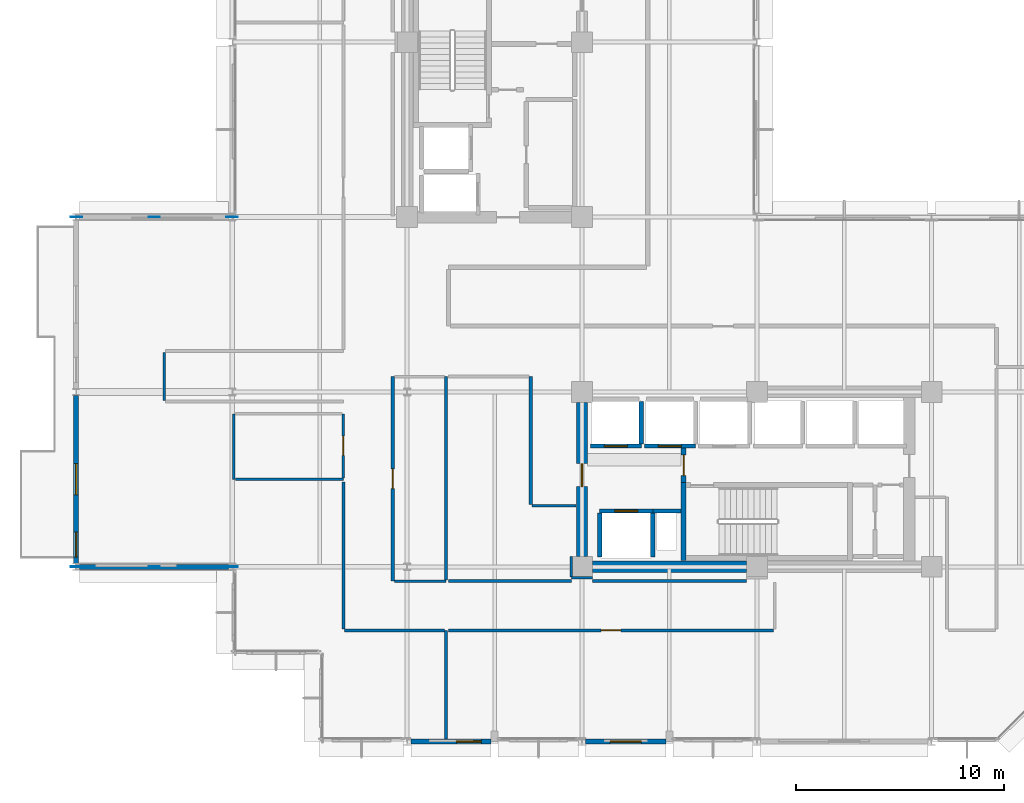
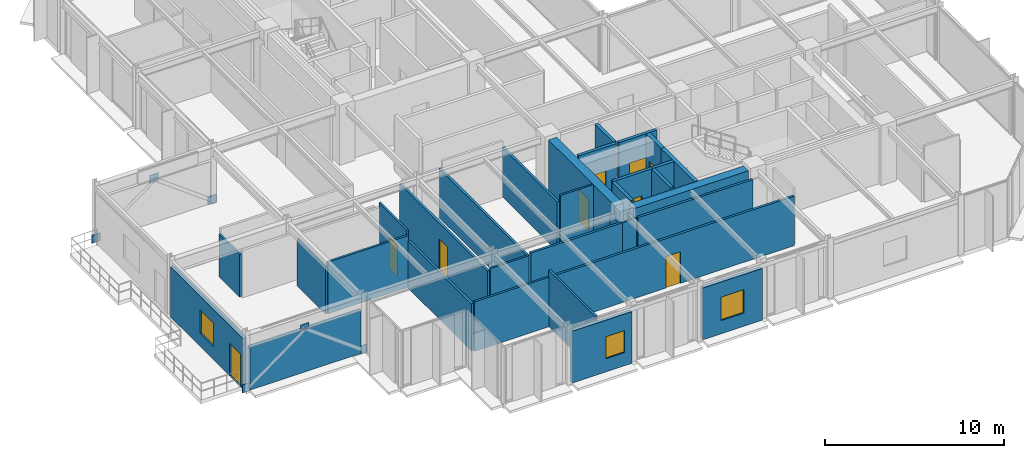
# One storey, part 24 of 30: 32 walls, 9 doors, 6 plates, 3 windows, 12 openings.
"""IFC4 building model written with IfcOpenShell, lengths in metres."""

from ifc_helpers import new_model, si_unit, direction, frame, frame_2d, origin, origin_2d, place, context, subcontext, project, spatial, rectangle, extrude, material, layer, layer_set, type_object, element, fill, save


model = new_model("IFC4")

# Units and contexts
model_context = context("Model", 3, precision=1e-05, world=origin(), true_north=direction((0.0, 1.0)))
body_context = subcontext(model_context, "Body", "Model", "MODEL_VIEW")
ifc_project = project(units=[si_unit("LENGTHUNIT", "METRE"), si_unit("AREAUNIT", "SQUARE_METRE"), si_unit("VOLUMEUNIT", "CUBIC_METRE"), si_unit("PLANEANGLEUNIT", "RADIAN"), si_unit("MASSUNIT", "GRAM", prefix="KILO")], contexts=[model_context])

# Site, building, storey
site_placement = place(None, origin())
site = spatial("IfcSite", under=ifc_project, at=site_placement, CompositionType="ELEMENT")
building_placement = place(site_placement, origin())
building = spatial("IfcBuilding", under=site, at=building_placement, Name="Nerrivon Quay Data Exchange", CompositionType="ELEMENT")
storey_placement = place(building_placement, frame((0.0, 0.0, 171.39990234375)))
storey = spatial("IfcBuildingStorey", under=building, at=storey_placement, Name="L40", CompositionType="ELEMENT", Elevation=171.39990234375)

# Plates
ifc_material_1 = material(Name="Steel Grade 350", Category="steel")
ifc_layer_1 = layer(ifc_material_1, 0.0400390625)
ifc_layer_set_1 = layer_set([ifc_layer_1], Name="Steel Grade 350")
plate_type = type_object("IfcPlateType", Name="PLT-TN02", PredefinedType="USERDEFINED", material=ifc_layer_set_1)
for number, where, z_axis, x_axis, name in (
    (1, (-0.010009765625, 8.39990234375, -0.11474609375), (0.0, 0.0, 1.0), (1.0, 0.0, 0.0), "L40 node plate 63"),
    (2, (-3.75, 8.39990234375, 2.64990234375), (0.0, 0.0, 1.0), (1.0, 0.0, 0.0), "L40 node plate 64"),
    (3, (-7.4921875, 8.39990234375, -0.11474609375), (0.0, 0.0, 1.0), (1.0, 0.0, 0.0), "L40 node plate 65"),
    (4, (-0.010009765625, 25.199951171875, -0.11474609375), (0.0, 0.0, 1.0), (1.0, 0.0, 0.0), "L40 node plate 66"),
    (5, (-3.75, 25.199951171875, 2.64990234375), (0.0, 0.0, 1.0), (1.0, 0.0, 0.0), "L40 node plate 67"),
    (6, (-7.4921875, 25.199951171875, -0.11474609375), (0.0, 0.0, 1.0), (1.0, 0.0, 0.0), "L40 node plate 68"),
):
    element("IfcPlate", number, at=place(storey_placement, frame(where, z_axis=z_axis, x_axis=x_axis)), inside=storey, type_object=plate_type, Name=name, ObjectType="GUSSET PLATE", PredefinedType="USERDEFINED", context=body_context, shape_type="SweptSolid", body=[
        extrude(rectangle(XDim=0.550048828125, YDim=0.035888671875, at=origin_2d()), origin(), (0.0, 0.0, 1.0), 0.550048828125),
    ])

# Wall, openings, door, window
ifc_material_2 = material(Name="Architectural terracotta precast concrete N50 (50 MPa)", Category="masonry")
ifc_layer_2 = layer(ifc_material_2, 0.239990234375)
ifc_layer_set_2 = layer_set([ifc_layer_2], Name="Architectural terracotta precast concrete N50 (50 MPa)")
wall_type_1 = type_object("IfcWallType", Name="EW-PREC-240", PredefinedType="STANDARD", material=ifc_layer_set_2)
wall_1_placement = place(storey_placement, frame((-7.5, 8.5634765625, 0.0), z_axis=(0.0, 0.0, 1.0), x_axis=(0.0, 1.0, 0.0)))
wall_1 = element("IfcWall", 7, at=wall_1_placement, inside=storey, type_object=wall_type_1, Name="L40 Terrace Host Wall 1", PredefinedType="STANDARD", context=body_context, shape_type="SweptSolid", body=[
    extrude(rectangle(XDim=8.072998046875, YDim=0.239990234375, at=frame_2d((4.03662109375, 0.0))), origin(), (0.0, 0.0, 1.0), 3.422119140625),
])
opening_1_placement = place(wall_1_placement, frame((0.300048828125, 0.0, 0.0)))
opening_1 = element("IfcOpeningElement", 8, at=opening_1_placement, cuts=wall_1, Name="Opening TD1", PredefinedType="OPENING", context=body_context, shape_type="SweptSolid", body=[
    extrude(rectangle(XDim=1.199951171875, YDim=2.199951171875, at=frame_2d((0.60009765625, 1.10009765625))), frame((0.0, 0.1298828125, 0.0), z_axis=(0.0, -1.0, 0.0), x_axis=(1.0, 0.0, 0.0)), (0.0, 0.0, 1.0), 0.260009765625),
])
opening_2_placement = place(wall_1_placement, frame((3.28662109375, 0.0, 0.89990234375)))
opening_2 = element("IfcOpeningElement", 9, at=opening_2_placement, cuts=wall_1, Name="Opening WN4", PredefinedType="OPENING", context=body_context, shape_type="SweptSolid", body=[
    extrude(rectangle(XDim=1.5, YDim=1.60009765625, at=frame_2d((0.75, 0.800048828125))), frame((0.0, 0.1298828125, 0.0), z_axis=(0.0, -1.0, 0.0), x_axis=(1.0, 0.0, 0.0)), (0.0, 0.0, 1.0), 0.260009765625),
])
ifc_material_3 = material(Name="Double-glazed low-E solar control glass", Category="glass")
door_type_1 = type_object("IfcDoorType", Name="DR-TERR-1200x2200", OperationType="NOTDEFINED", PredefinedType="DOOR", material=ifc_material_3)
door_1_placement = place(opening_1_placement, origin())
door_1 = element("IfcDoor", 10, at=door_1_placement, inside=storey, type_object=door_type_1, Name="L40 Outdoor Terrace Access Door 1", OperationType="SINGLE_SWING_RIGHT", OverallHeight=2.199951171875, OverallWidth=1.199951171875, PredefinedType="DOOR", context=body_context, shape_type="SweptSolid", body=[
    extrude(rectangle(XDim=1.199951171875, YDim=2.199951171875, at=frame_2d((0.60009765625, 1.10009765625))), frame((0.0, 0.02490234375, 0.0), z_axis=(0.0, -1.0, 0.0), x_axis=(1.0, 0.0, 0.0)), (0.0, 0.0, 1.0), 0.050048828125),
])
fill(opening_1, door_1)
window_type_1 = type_object("IfcWindowType", Name="WIN-W4-1500x1600", PartitioningType="SINGLE_PANEL", PredefinedType="WINDOW", material=ifc_material_3)
window_1_placement = place(opening_2_placement, origin())
window_1 = element("IfcWindow", 11, at=window_1_placement, inside=storey, type_object=window_type_1, Name="L40 Terrace Side Window 1", OverallHeight=1.60009765625, OverallWidth=1.5, PartitioningType="SINGLE_PANEL", PredefinedType="WINDOW", context=body_context, shape_type="SweptSolid", body=[
    extrude(rectangle(XDim=1.5, YDim=1.60009765625, at=frame_2d((0.75, 0.800048828125))), frame((0.0, 0.030029296875, 0.0), z_axis=(0.0, -1.0, 0.0), x_axis=(1.0, 0.0, 0.0)), (0.0, 0.0, 1.0), 0.06005859375),
])
fill(opening_2, window_1)

# Wall, opening, window
wall_2_placement = place(storey_placement, frame((20.824951171875, 0.0, 0.0), z_axis=(0.0, 0.0, 1.0), x_axis=(-1.0, 0.0, 0.0)))
wall_2 = element("IfcWall", 12, at=wall_2_placement, inside=storey, type_object=wall_type_1, Name="L40 Podium Precast Spandrel Wall 25", PredefinedType="STANDARD", context=body_context, shape_type="SweptSolid", body=[
    extrude(rectangle(XDim=3.849853515625, YDim=0.239990234375, at=frame_2d((1.9248046875, 0.0))), origin(), (0.0, 0.0, 1.0), 3.525146484375),
])
opening_3_placement = place(wall_2_placement, frame((1.175048828125, 0.0, 0.89990234375)))
opening_3 = element("IfcOpeningElement", 13, at=opening_3_placement, cuts=wall_2, Name="Opening WN4", PredefinedType="OPENING", context=body_context, shape_type="SweptSolid", body=[
    extrude(rectangle(XDim=1.5, YDim=1.60009765625, at=frame_2d((0.75, 0.800048828125))), frame((0.0, 0.1298828125, 0.0), z_axis=(0.0, -1.0, 0.0), x_axis=(1.0, 0.0, 0.0)), (0.0, 0.0, 1.0), 0.260009765625),
])
window_2_placement = place(opening_3_placement, origin())
window_2 = element("IfcWindow", 14, at=window_2_placement, inside=storey, type_object=window_type_1, Name="L40 Solar Facade Window 25", OverallHeight=1.60009765625, OverallWidth=1.5, PartitioningType="SINGLE_PANEL", PredefinedType="WINDOW", context=body_context, shape_type="SweptSolid", body=[
    extrude(rectangle(XDim=1.5, YDim=1.60009765625, at=frame_2d((0.75, 0.800048828125))), frame((0.0, 0.030029296875, 0.0), z_axis=(0.0, -1.0, 0.0), x_axis=(1.0, 0.0, 0.0)), (0.0, 0.0, 1.0), 0.06005859375),
])
fill(opening_3, window_2)

wall_3_placement = place(storey_placement, frame((12.425048828125, 0.0, 0.0), z_axis=(0.0, 0.0, 1.0), x_axis=(-1.0, 0.0, 0.0)))
wall_3 = element("IfcWall", 15, at=wall_3_placement, inside=storey, type_object=wall_type_1, Name="L40 Podium Precast Spandrel Wall 27", PredefinedType="STANDARD", context=body_context, shape_type="SweptSolid", body=[
    extrude(rectangle(XDim=3.85009765625, YDim=0.239990234375, at=frame_2d((1.925048828125, 0.0))), origin(), (0.0, 0.0, 1.0), 3.525146484375),
])
opening_4_placement = place(wall_3_placement, frame((0.462646484375, 0.0, 0.89990234375)))
opening_4 = element("IfcOpeningElement", 16, at=opening_4_placement, cuts=wall_3, Name="Opening WN3", PredefinedType="OPENING", context=body_context, shape_type="SweptSolid", body=[
    extrude(rectangle(XDim=1.199951171875, YDim=1.5, at=frame_2d((0.60009765625, 0.75))), frame((0.0, 0.1298828125, 0.0), z_axis=(0.0, -1.0, 0.0), x_axis=(1.0, 0.0, 0.0)), (0.0, 0.0, 1.0), 0.260009765625),
])
window_type_2 = type_object("IfcWindowType", Name="WIN-W3-1200x1500", PartitioningType="SINGLE_PANEL", PredefinedType="WINDOW", material=ifc_material_3)
window_3_placement = place(opening_4_placement, origin())
window_3 = element("IfcWindow", 17, at=window_3_placement, inside=storey, type_object=window_type_2, Name="L40 Solar Facade Window 27", OverallHeight=1.5, OverallWidth=1.199951171875, PartitioningType="SINGLE_PANEL", PredefinedType="WINDOW", context=body_context, shape_type="SweptSolid", body=[
    extrude(rectangle(XDim=1.199951171875, YDim=1.5, at=frame_2d((0.60009765625, 0.75))), frame((0.0, 0.030029296875, 0.0), z_axis=(0.0, -1.0, 0.0), x_axis=(1.0, 0.0, 0.0)), (0.0, 0.0, 1.0), 0.06005859375),
])
fill(opening_4, window_3)

# Walls
wall_4_placement = place(storey_placement, frame((-0.175048828125, 8.39990234375, 0.0), z_axis=(0.0, 0.0, 1.0), x_axis=(-1.0, 0.0, 0.0)))
element("IfcWall", 18, at=wall_4_placement, inside=storey, type_object=wall_type_1, Name="L40 Plant Enclosure Wall 32", PredefinedType="STANDARD", context=body_context, shape_type="SweptSolid", body=[
    extrude(rectangle(XDim=7.16943359375, YDim=0.239990234375, at=frame_2d((3.584716796875, 0.0))), origin(), (0.0, 0.0, 1.0), 2.9150390625),
])
ifc_material_4 = material(Name="Concrete S65 (65 MPa)", Category="concrete")
ifc_layer_3 = layer(ifc_material_4, 0.550048828125)
ifc_layer_set_3 = layer_set([ifc_layer_3], Name="Concrete S65 (65 MPa)")
wall_type_2 = type_object("IfcWallType", Name="WALL-CW-700", PredefinedType="SHEAR", material=ifc_layer_set_3)
wall_5_placement = place(storey_placement, frame((17.300048828125, 8.39990234375, 0.0), z_axis=(0.0, 0.0, 1.0), x_axis=(1.0, 0.0, 0.0)))
element("IfcWall", 19, at=wall_5_placement, inside=storey, type_object=wall_type_2, Name="L40 East Split-Core Shear Wall ECW-S1", PredefinedType="SHEAR", context=body_context, shape_type="SweptSolid", body=[
    extrude(rectangle(XDim=7.39990234375, YDim=0.550048828125, at=frame_2d((3.699951171875, 0.0))), origin(), (0.0, 0.0, 1.0), 3.8251953125),
])

# Wall, opening, door
wall_6_placement = place(storey_placement, frame((16.800048828125, 8.89990234375, 0.0), z_axis=(0.0, 0.0, 1.0), x_axis=(0.0, 1.0, 0.0)))
wall_6 = element("IfcWall", 20, at=wall_6_placement, inside=storey, type_object=wall_type_2, Name="L40 East Split-Core Shear Wall ECW-W1", PredefinedType="SHEAR", context=body_context, shape_type="SweptSolid", body=[
    extrude(rectangle(XDim=7.400146484375, YDim=0.550048828125, at=frame_2d((3.7001953125, 0.0))), origin(), (0.0, 0.0, 1.0), 3.8251953125),
])
opening_5_placement = place(wall_6_placement, frame((3.35009765625, 0.0, 0.0)))
opening_5 = element("IfcOpeningElement", 21, at=opening_5_placement, cuts=wall_6, Name="Opening FD-120", PredefinedType="OPENING", context=body_context, shape_type="SweptSolid", body=[
    extrude(rectangle(XDim=1.10009765625, YDim=2.14990234375, at=frame_2d((0.550048828125, 1.074951171875))), frame((0.0, 0.284912109375, 0.0), z_axis=(0.0, -1.0, 0.0), x_axis=(1.0, 0.0, 0.0)), (0.0, 0.0, 1.0), 0.570068359375),
])
ifc_material_5 = material(Name="Powder-coated galvanized steel sheet", Category="steel")
door_type_2 = type_object("IfcDoorType", Name="DR-FD120-1100", OperationType="NOTDEFINED", PredefinedType="DOOR", material=ifc_material_5)
door_2_placement = place(opening_5_placement, origin())
door_2 = element("IfcDoor", 22, at=door_2_placement, inside=storey, type_object=door_type_2, Name="L40 East Core Lobby Fire Door", OperationType="SINGLE_SWING_LEFT", OverallHeight=2.14990234375, OverallWidth=1.10009765625, PredefinedType="DOOR", context=body_context, shape_type="SweptSolid", body=[
    extrude(rectangle(XDim=1.10009765625, YDim=2.14990234375, at=frame_2d((0.550048828125, 1.074951171875))), frame((0.0, 0.02490234375, 0.0), z_axis=(0.0, -1.0, 0.0), x_axis=(1.0, 0.0, 0.0)), (0.0, 0.0, 1.0), 0.050048828125),
])
fill(opening_5, door_2)

# Wall
ifc_material_6 = material(Name="Gypsum plasterboard on cold-formed framing", Category="gypsum")
ifc_layer_4 = layer(ifc_material_6, 0.199951171875)
ifc_layer_set_4 = layer_set([ifc_layer_4], Name="Gypsum plasterboard on cold-formed framing")
wall_type_3 = type_object("IfcWallType", Name="WALL-FW-200", PredefinedType="PARTITIONING", material=ifc_layer_set_4)
wall_7_placement = place(storey_placement, frame((20.199951171875, 11.080078125, 0.0), z_axis=(0.0, 0.0, 1.0), x_axis=(1.0, 0.0, 0.0)))
element("IfcWall", 23, at=wall_7_placement, inside=storey, type_object=wall_type_3, Name="L40 East Core MEP Riser Shaft Wall N", PredefinedType="PARTITIONING", context=body_context, shape_type="SweptSolid", body=[
    extrude(rectangle(XDim=1.35009765625, YDim=0.199951171875, at=frame_2d((0.675048828125, 0.0))), origin(), (0.0, 0.0, 1.0), 3.8251953125),
])

# Wall, opening, door
wall_8_placement = place(storey_placement, frame((17.64990234375, 11.080078125, 0.0), z_axis=(0.0, 0.0, 1.0), x_axis=(1.0, 0.0, 0.0)))
wall_8 = element("IfcWall", 24, at=wall_8_placement, inside=storey, type_object=wall_type_3, Name="L40 Lift Front Wall FFL-2", PredefinedType="PARTITIONING", context=body_context, shape_type="SweptSolid", body=[
    extrude(rectangle(XDim=2.550048828125, YDim=0.199951171875, at=frame_2d((1.27490234375, 0.0))), origin(), (0.0, 0.0, 1.0), 3.8251953125),
])
opening_6_placement = place(wall_8_placement, frame((0.72509765625, 0.0, 0.0)))
opening_6 = element("IfcOpeningElement", 25, at=opening_6_placement, cuts=wall_8, Name="Opening LD-120", PredefinedType="OPENING", context=body_context, shape_type="SweptSolid", body=[
    extrude(rectangle(XDim=1.10009765625, YDim=2.199951171875, at=frame_2d((0.550048828125, 1.10009765625))), frame((0.0, 0.10986328125, 0.0), z_axis=(0.0, -1.0, 0.0), x_axis=(1.0, 0.0, 0.0)), (0.0, 0.0, 1.0), 0.219970703125),
])
door_type_3 = type_object("IfcDoorType", Name="DR-LIFT-LD120", OperationType="DOUBLE_DOOR_SLIDING", PredefinedType="DOOR", material=ifc_material_5)
door_3_placement = place(opening_6_placement, origin())
door_3 = element("IfcDoor", 26, at=door_3_placement, inside=storey, type_object=door_type_3, Name="L40 Lift Landing Sliding Door FFL-2", OperationType="DOUBLE_DOOR_SLIDING", OverallHeight=2.199951171875, OverallWidth=1.10009765625, PredefinedType="DOOR", context=body_context, shape_type="SweptSolid", body=[
    extrude(rectangle(XDim=1.10009765625, YDim=2.199951171875, at=frame_2d((0.550048828125, 1.10009765625))), frame((0.0, 0.02490234375, 0.0), z_axis=(0.0, -1.0, 0.0), x_axis=(1.0, 0.0, 0.0)), (0.0, 0.0, 1.0), 0.050048828125),
])
fill(opening_6, door_3)

# Walls
for number, where, z_axis, x_axis, name in (
    (27, (20.199951171875, 8.8798828125, 0.0), (0.0, 0.0, 1.0), (0.0, 1.0, 0.0), "L40 Lift Shaft Wall FFL-2 EAST"),
    (28, (17.64990234375, 8.8798828125, 0.0), (0.0, 0.0, 1.0), (0.0, 1.0, 0.0), "L40 Lift Shaft Wall FFL-2 WEST"),
):
    element("IfcWall", number, at=place(storey_placement, frame(where, z_axis=z_axis, x_axis=x_axis)), inside=storey, type_object=wall_type_3, Name=name, PredefinedType="PARTITIONING", context=body_context, shape_type="SweptSolid", body=[
        extrude(rectangle(XDim=2.10009765625, YDim=0.199951171875, at=frame_2d((1.050048828125, 0.0))), origin(), (0.0, 0.0, 1.0), 3.8251953125),
    ])

# Wall, opening, door
wall_9_placement = place(storey_placement, frame((17.199951171875, 14.199951171875, 0.0), z_axis=(0.0, 0.0, 1.0), x_axis=(1.0, 0.0, 0.0)))
wall_9 = element("IfcWall", 29, at=wall_9_placement, inside=storey, type_object=wall_type_3, Name="L40 Lift Front Wall PL4", PredefinedType="PARTITIONING", context=body_context, shape_type="SweptSolid", body=[
    extrude(rectangle(XDim=2.449951171875, YDim=0.199951171875, at=frame_2d((1.22509765625, 0.0))), origin(), (0.0, 0.0, 1.0), 3.8251953125),
])
opening_7_placement = place(wall_9_placement, frame((0.675048828125, 0.0, 0.0)))
opening_7 = element("IfcOpeningElement", 30, at=opening_7_placement, cuts=wall_9, Name="Opening LD-120", PredefinedType="OPENING", context=body_context, shape_type="SweptSolid", body=[
    extrude(rectangle(XDim=1.10009765625, YDim=2.199951171875, at=frame_2d((0.550048828125, 1.10009765625))), frame((0.0, 0.10986328125, 0.0), z_axis=(0.0, -1.0, 0.0), x_axis=(1.0, 0.0, 0.0)), (0.0, 0.0, 1.0), 0.219970703125),
])
door_4_placement = place(opening_7_placement, origin())
door_4 = element("IfcDoor", 31, at=door_4_placement, inside=storey, type_object=door_type_3, Name="L40 Lift Landing Sliding Door PL4", OperationType="DOUBLE_DOOR_SLIDING", OverallHeight=2.199951171875, OverallWidth=1.10009765625, PredefinedType="DOOR", context=body_context, shape_type="SweptSolid", body=[
    extrude(rectangle(XDim=1.10009765625, YDim=2.199951171875, at=frame_2d((0.550048828125, 1.10009765625))), frame((0.0, 0.02490234375, 0.0), z_axis=(0.0, -1.0, 0.0), x_axis=(1.0, 0.0, 0.0)), (0.0, 0.0, 1.0), 0.050048828125),
])
fill(opening_7, door_4)

# Wall
wall_10_placement = place(storey_placement, frame((19.64990234375, 14.300048828125, 0.0), z_axis=(0.0, 0.0, 1.0), x_axis=(0.0, 1.0, 0.0)))
element("IfcWall", 32, at=wall_10_placement, inside=storey, type_object=wall_type_3, Name="L40 Lift Shaft Wall PL4 EAST", PredefinedType="PARTITIONING", context=body_context, shape_type="SweptSolid", body=[
    extrude(rectangle(XDim=2.050048828125, YDim=0.199951171875, at=frame_2d((1.02490234375, 0.0))), origin(), (0.0, 0.0, 1.0), 3.8251953125),
])

# Wall, opening, door
wall_11_placement = place(storey_placement, frame((19.800048828125, 14.199951171875, 0.0), z_axis=(0.0, 0.0, 1.0), x_axis=(1.0, 0.0, 0.0)))
wall_11 = element("IfcWall", 33, at=wall_11_placement, inside=storey, type_object=wall_type_3, Name="L40 Lift Front Wall PL5", PredefinedType="PARTITIONING", context=body_context, shape_type="SweptSolid", body=[
    extrude(rectangle(XDim=2.449951171875, YDim=0.199951171875, at=frame_2d((1.22509765625, 0.0))), origin(), (0.0, 0.0, 1.0), 3.8251953125),
])
opening_8_placement = place(wall_11_placement, frame((0.675048828125, 0.0, 0.0)))
opening_8 = element("IfcOpeningElement", 34, at=opening_8_placement, cuts=wall_11, Name="Opening LD-120", PredefinedType="OPENING", context=body_context, shape_type="SweptSolid", body=[
    extrude(rectangle(XDim=1.10009765625, YDim=2.199951171875, at=frame_2d((0.550048828125, 1.10009765625))), frame((0.0, 0.10986328125, 0.0), z_axis=(0.0, -1.0, 0.0), x_axis=(1.0, 0.0, 0.0)), (0.0, 0.0, 1.0), 0.219970703125),
])
door_5_placement = place(opening_8_placement, origin())
door_5 = element("IfcDoor", 35, at=door_5_placement, inside=storey, type_object=door_type_3, Name="L40 Lift Landing Sliding Door PL5", OperationType="DOUBLE_DOOR_SLIDING", OverallHeight=2.199951171875, OverallWidth=1.10009765625, PredefinedType="DOOR", context=body_context, shape_type="SweptSolid", body=[
    extrude(rectangle(XDim=1.10009765625, YDim=2.199951171875, at=frame_2d((0.550048828125, 1.10009765625))), frame((0.0, 0.02490234375, 0.0), z_axis=(0.0, -1.0, 0.0), x_axis=(1.0, 0.0, 0.0)), (0.0, 0.0, 1.0), 0.050048828125),
])
fill(opening_8, door_5)

# Wall
ifc_layer_5 = layer(ifc_material_6, 0.1201171875)
ifc_layer_set_5 = layer_set([ifc_layer_5], Name="Gypsum plasterboard on cold-formed framing")
wall_type_4 = type_object("IfcWallType", Name="WALL-PT-120", PredefinedType="PARTITIONING", material=ifc_layer_set_5)
wall_12_placement = place(storey_placement, frame((0.080078125, 15.75, 0.0), z_axis=(0.0, 0.0, 1.0), x_axis=(0.0, -1.0, 0.0)))
element("IfcWall", 36, at=wall_12_placement, inside=storey, type_object=wall_type_4, Name="L40 Partition Accessible Toilet", PredefinedType="PARTITIONING", context=body_context, shape_type="SweptSolid", body=[
    extrude(rectangle(XDim=3.14990234375, YDim=0.1201171875, at=frame_2d((1.574951171875, 0.0))), origin(), (0.0, 0.0, 1.0), 3.22314453125),
])

# Wall, opening, door
wall_13_placement = place(storey_placement, frame((5.340087890625, 12.67138671875, 0.0), z_axis=(0.0, 0.0, 1.0), x_axis=(0.0, 1.0, 0.0)))
wall_13 = element("IfcWall", 37, at=wall_13_placement, inside=storey, type_object=wall_type_4, Name="L40 Partition Accessible Toilet", PredefinedType="PARTITIONING", context=body_context, shape_type="SweptSolid", body=[
    extrude(rectangle(XDim=3.07861328125, YDim=0.1201171875, at=frame_2d((1.539306640625, 0.0))), origin(), (0.0, 0.0, 1.0), 3.8251953125),
])
opening_9_placement = place(wall_13_placement, frame((1.079345703125, 0.0, 0.0)))
opening_9 = element("IfcOpeningElement", 38, at=opening_9_placement, cuts=wall_13, Name="Opening D-WC", PredefinedType="OPENING", context=body_context, shape_type="SweptSolid", body=[
    extrude(rectangle(XDim=0.919921875, YDim=2.10009765625, at=frame_2d((0.4599609375, 1.050048828125))), frame((0.0, 0.070068359375, 0.0), z_axis=(0.0, -1.0, 0.0), x_axis=(1.0, 0.0, 0.0)), (0.0, 0.0, 1.0), 0.14013671875),
])
ifc_material_7 = material(Name="Engineered hardwood timber", Category="wood")
door_type_4 = type_object("IfcDoorType", Name="DR-WC-920", OperationType="NOTDEFINED", PredefinedType="DOOR", material=ifc_material_7)
door_6_placement = place(opening_9_placement, origin())
door_6 = element("IfcDoor", 39, at=door_6_placement, inside=storey, type_object=door_type_4, Name="L40 Door Accessible Toilet", OperationType="SINGLE_SWING_RIGHT", OverallHeight=2.10009765625, OverallWidth=0.919921875, PredefinedType="DOOR", context=body_context, shape_type="SweptSolid", body=[
    extrude(rectangle(XDim=0.919921875, YDim=2.10009765625, at=frame_2d((0.4599609375, 1.050048828125))), frame((0.0, 0.02490234375, 0.0), z_axis=(0.0, -1.0, 0.0), x_axis=(1.0, 0.0, 0.0)), (0.0, 0.0, 1.0), 0.050048828125),
])
fill(opening_9, door_6)

# Walls
wall_14_placement = place(storey_placement, frame((7.7890625, 7.7099609375, 0.0), z_axis=(0.0, 0.0, 1.0), x_axis=(1.0, 0.0, 0.0)))
element("IfcWall", 40, at=wall_14_placement, inside=storey, type_object=wall_type_4, Name="L40 Partition Staff Pantry", PredefinedType="PARTITIONING", context=body_context, shape_type="SweptSolid", body=[
    extrude(rectangle(XDim=2.480712890625, YDim=0.1201171875, at=frame_2d((1.240234375, 0.0))), origin(), (0.0, 0.0, 1.0), 3.37109375),
])
wall_15_placement = place(storey_placement, frame((-3.259765625, 16.39404296875, 0.0), z_axis=(0.0, 0.0, 1.0), x_axis=(-0.000105876124, 0.999999994395, 0.0)))
element("IfcWall", 41, at=wall_15_placement, inside=storey, type_object=wall_type_4, Name="L40 Partition Mail and Crew Room", PredefinedType="PARTITIONING", context=body_context, shape_type="SweptSolid", body=[
    extrude(rectangle(XDim=2.305908203125, YDim=0.1201171875, at=frame_2d((1.15283203125, 0.0))), origin(), (0.0, 0.0, 1.0), 2.9150390625),
])
wall_16_placement = place(storey_placement, frame((17.303955078125, 7.88037109375, 0.0), z_axis=(0.0, 0.0, 1.0), x_axis=(-0.999999881717, -0.000486381265, 0.0)))
element("IfcWall", 42, at=wall_16_placement, inside=storey, type_object=wall_type_4, Name="L40 Partition Technical Library", PredefinedType="PARTITIONING", context=body_context, shape_type="SweptSolid", body=[
    extrude(rectangle(XDim=1.00390625, YDim=0.1201171875, at=frame_2d((0.501953125, 0.0))), origin(), (0.0, 0.0, 1.0), 3.37109375),
])
wall_17_placement = place(storey_placement, frame((16.280029296875, 7.89990234375, 0.0), z_axis=(0.0, 0.0, 1.0), x_axis=(0.000486381265, 0.999999881717, 0.0)))
element("IfcWall", 43, at=wall_17_placement, inside=storey, type_object=wall_type_4, Name="L40 Partition Technical Library", PredefinedType="PARTITIONING", context=body_context, shape_type="SweptSolid", body=[
    extrude(rectangle(XDim=1.00390625, YDim=0.1201171875, at=frame_2d((0.501953125, 0.0))), origin(), (0.0, 0.0, 1.0), 3.364990234375),
])
wall_18_placement = place(storey_placement, frame((16.52099609375, 11.340087890625, 0.0), z_axis=(0.0, 0.0, 1.0), x_axis=(-1.0, 0.0, 0.0)))
element("IfcWall", 44, at=wall_18_placement, inside=storey, type_object=wall_type_4, Name="L40 Partition Technical Library", PredefinedType="PARTITIONING", context=body_context, shape_type="SweptSolid", body=[
    extrude(rectangle(XDim=2.12109375, YDim=0.1201171875, at=frame_2d((1.060546875, 0.0))), origin(), (0.0, 0.0, 1.0), 3.8251953125),
])
ifc_layer_6 = layer(ifc_material_6, 0.135009765625)
ifc_layer_set_6 = layer_set([ifc_layer_6], Name="Gypsum plasterboard on cold-formed framing")
wall_type_5 = type_object("IfcWallType", Name="WALL-PT-135", PredefinedType="PARTITIONING", material=ifc_layer_set_6)
wall_19_placement = place(storey_placement, frame((0.14404296875, 12.60009765625, 0.0), z_axis=(0.0, 0.0, 1.0), x_axis=(1.0, 0.0, 0.0)))
element("IfcWall", 45, at=wall_19_placement, inside=storey, type_object=wall_type_5, Name="L40 Partition Accessible Toilet", PredefinedType="PARTITIONING", context=body_context, shape_type="SweptSolid", body=[
    extrude(rectangle(XDim=5.196044921875, YDim=0.135009765625, at=frame_2d((2.59814453125, 0.0))), origin(), (0.0, 0.0, 1.0), 3.51806640625),
])
wall_20_placement = place(storey_placement, frame((10.269775390625, 0.1240234375, 0.0), z_axis=(0.0, 0.0, 1.0), x_axis=(0.0, 1.0, 0.0)))
element("IfcWall", 46, at=wall_20_placement, inside=storey, type_object=wall_type_5, Name="L40 Partition Mail and Crew Room", PredefinedType="PARTITIONING", context=body_context, shape_type="SweptSolid", body=[
    extrude(rectangle(XDim=5.216064453125, YDim=0.135009765625, at=frame_2d((2.60791015625, 0.0))), origin(), (0.0, 0.0, 1.0), 3.8251953125),
])
wall_21_placement = place(storey_placement, frame((10.1982421875, 5.340087890625, 0.0), z_axis=(0.0, 0.0, 1.0), x_axis=(-1.0, 0.0, 0.0)))
element("IfcWall", 47, at=wall_21_placement, inside=storey, type_object=wall_type_5, Name="L40 Partition Mail and Crew Room", PredefinedType="PARTITIONING", context=body_context, shape_type="SweptSolid", body=[
    extrude(rectangle(XDim=4.79833984375, YDim=0.135009765625, at=frame_2d((2.399169921875, 0.0))), origin(), (0.0, 0.0, 1.0), 3.37109375),
])

# Wall, opening, door
ifc_layer_7 = layer(ifc_material_6, 0.14990234375)
ifc_layer_set_7 = layer_set([ifc_layer_7], Name="Gypsum plasterboard on cold-formed framing")
wall_type_6 = type_object("IfcWallType", Name="WALL-PT-150", PredefinedType="PARTITIONING", material=ifc_layer_set_7)
wall_22_placement = place(storey_placement, frame((7.7099609375, 17.5400390625, 0.0), z_axis=(0.0, 0.0, 1.0), x_axis=(0.0, -1.0, 0.0)))
wall_22 = element("IfcWall", 48, at=wall_22_placement, inside=storey, type_object=wall_type_6, Name="L40 Partition Staff Pantry", PredefinedType="PARTITIONING", context=body_context, shape_type="SweptSolid", body=[
    extrude(rectangle(XDim=9.830078125, YDim=0.14990234375, at=frame_2d((4.9150390625, 0.0))), origin(), (0.0, 0.0, 1.0), 3.213134765625),
])
opening_10_placement = place(wall_22_placement, frame((4.43994140625, 0.0, 0.0)))
opening_10 = element("IfcOpeningElement", 49, at=opening_10_placement, cuts=wall_22, Name="Opening D-01", PredefinedType="OPENING", context=body_context, shape_type="SweptSolid", body=[
    extrude(rectangle(XDim=0.949951171875, YDim=2.14990234375, at=frame_2d((0.47509765625, 1.074951171875))), frame((0.0, 0.0849609375, 0.0), z_axis=(0.0, -1.0, 0.0), x_axis=(1.0, 0.0, 0.0)), (0.0, 0.0, 1.0), 0.169921875),
])
door_type_5 = type_object("IfcDoorType", Name="DR-INT-950", OperationType="NOTDEFINED", PredefinedType="DOOR", material=ifc_material_7)
door_7_placement = place(opening_10_placement, origin())
door_7 = element("IfcDoor", 50, at=door_7_placement, inside=storey, type_object=door_type_5, Name="L40 Door Staff Pantry", OperationType="SINGLE_SWING_RIGHT", OverallHeight=2.14990234375, OverallWidth=0.949951171875, PredefinedType="DOOR", context=body_context, shape_type="SweptSolid", body=[
    extrude(rectangle(XDim=0.949951171875, YDim=2.14990234375, at=frame_2d((0.47509765625, 1.074951171875))), frame((0.0, 0.02490234375, 0.0), z_axis=(0.0, -1.0, 0.0), x_axis=(1.0, 0.0, 0.0)), (0.0, 0.0, 1.0), 0.050048828125),
])
fill(opening_10, door_7)

# Walls
wall_23_placement = place(storey_placement, frame((10.269775390625, 7.77392578125, 0.0), z_axis=(0.0, 0.0, 1.0), x_axis=(0.0, 1.0, 0.0)))
element("IfcWall", 51, at=wall_23_placement, inside=storey, type_object=wall_type_6, Name="L40 Partition Staff Pantry", PredefinedType="PARTITIONING", context=body_context, shape_type="SweptSolid", body=[
    extrude(rectangle(XDim=9.76611328125, YDim=0.14990234375, at=frame_2d((4.883056640625, 0.0))), origin(), (0.0, 0.0, 1.0), 3.364990234375),
])
wall_24_placement = place(storey_placement, frame((5.340087890625, 5.39990234375, 0.0), z_axis=(0.0, 0.0, 1.0), x_axis=(0.0, 1.0, 0.0)))
element("IfcWall", 52, at=wall_24_placement, inside=storey, type_object=wall_type_6, Name="L40 Partition Mail and Crew Room", PredefinedType="PARTITIONING", context=body_context, shape_type="SweptSolid", body=[
    extrude(rectangle(XDim=7.080078125, YDim=0.14990234375, at=frame_2d((3.5400390625, 0.0))), origin(), (0.0, 0.0, 1.0), 3.213134765625),
])

# Wall, opening, door
wall_25_placement = place(storey_placement, frame((26.0, 5.340087890625, 0.0), z_axis=(0.0, 0.0, 1.0), x_axis=(-1.0, 0.0, 0.0)))
wall_25 = element("IfcWall", 53, at=wall_25_placement, inside=storey, type_object=wall_type_6, Name="L40 Partition Technical Library", PredefinedType="PARTITIONING", context=body_context, shape_type="SweptSolid", body=[
    extrude(rectangle(XDim=15.610107421875, YDim=0.14990234375, at=frame_2d((7.80517578125, 0.0))), origin(), (0.0, 0.0, 1.0), 3.37109375),
])
opening_11_placement = place(wall_25_placement, frame((7.330078125, 0.0, 0.0)))
opening_11 = element("IfcOpeningElement", 54, at=opening_11_placement, cuts=wall_25, Name="Opening D-01", PredefinedType="OPENING", context=body_context, shape_type="SweptSolid", body=[
    extrude(rectangle(XDim=0.949951171875, YDim=2.14990234375, at=frame_2d((0.47509765625, 1.074951171875))), frame((0.0, 0.0849609375, 0.0), z_axis=(0.0, -1.0, 0.0), x_axis=(1.0, 0.0, 0.0)), (0.0, 0.0, 1.0), 0.169921875),
])
door_8_placement = place(opening_11_placement, origin())
door_8 = element("IfcDoor", 55, at=door_8_placement, inside=storey, type_object=door_type_5, Name="L40 Door Technical Library", OperationType="SINGLE_SWING_LEFT", OverallHeight=2.14990234375, OverallWidth=0.949951171875, PredefinedType="DOOR", context=body_context, shape_type="SweptSolid", body=[
    extrude(rectangle(XDim=0.949951171875, YDim=2.14990234375, at=frame_2d((0.47509765625, 1.074951171875))), frame((0.0, 0.02490234375, 0.0), z_axis=(0.0, -1.0, 0.0), x_axis=(1.0, 0.0, 0.0)), (0.0, 0.0, 1.0), 0.050048828125),
])
fill(opening_11, door_8)

# Walls
wall_26_placement = place(storey_placement, frame((14.340087890625, 11.39990234375, 0.0), z_axis=(0.0, 0.0, 1.0), x_axis=(0.0, 1.0, 0.0)))
element("IfcWall", 56, at=wall_26_placement, inside=storey, type_object=wall_type_6, Name="L40 Partition Technical Library", PredefinedType="PARTITIONING", context=body_context, shape_type="SweptSolid", body=[
    extrude(rectangle(XDim=6.14013671875, YDim=0.14990234375, at=frame_2d((3.070068359375, 0.0))), origin(), (0.0, 0.0, 1.0), 3.364990234375),
])
wall_27_placement = place(storey_placement, frame((10.389892578125, 7.7099609375, 0.0), z_axis=(0.0, 0.0, 1.0), x_axis=(1.0, 0.0, 0.0)))
element("IfcWall", 57, at=wall_27_placement, inside=storey, type_object=wall_type_6, Name="L40 Partition Technical Library", PredefinedType="PARTITIONING", context=body_context, shape_type="SweptSolid", body=[
    extrude(rectangle(XDim=5.91015625, YDim=0.14990234375, at=frame_2d((2.955078125, 0.0))), origin(), (0.0, 0.0, 1.0), 3.51806640625),
])
wall_28_placement = place(storey_placement, frame((17.303955078125, 7.7099609375, 0.0), z_axis=(0.0, 0.0, 1.0), x_axis=(1.0, 0.0, 0.0)))
element("IfcWall", 58, at=wall_28_placement, inside=storey, type_object=wall_type_6, Name="L40 Partition Technical Library", PredefinedType="PARTITIONING", context=body_context, shape_type="SweptSolid", body=[
    extrude(rectangle(XDim=7.396240234375, YDim=0.14990234375, at=frame_2d((3.6982421875, 0.0))), origin(), (0.0, 0.0, 1.0), 3.51806640625),
])
ifc_material_8 = material(Name="Concrete N50 (50 MPa)", Category="concrete")
ifc_layer_8 = layer(ifc_material_8, 0.25)
ifc_layer_set_8 = layer_set([ifc_layer_8], Name="Concrete N50 (50 MPa)")
wall_type_7 = type_object("IfcWallType", Name="WALL-SW-250", PredefinedType="SHEAR", material=ifc_layer_set_8)
wall_29_placement = place(storey_placement, frame((21.675048828125, 8.699951171875, 0.0), z_axis=(0.0, 0.0, 1.0), x_axis=(0.0, 1.0, 0.0)))
element("IfcWall", 59, at=wall_29_placement, inside=storey, type_object=wall_type_7, Name="L40 ST02 Structural Stair Core Wall NEAR", PredefinedType="SHEAR", context=body_context, shape_type="SweptSolid", body=[
    extrude(rectangle(XDim=3.75, YDim=0.25, at=frame_2d((1.875, 0.0))), origin(), (0.0, 0.0, 1.0), 3.8251953125),
])

# Wall, opening, door
wall_30_placement = place(storey_placement, frame((21.679931640625, 12.449951171875, 0.0), z_axis=(0.0, 0.0, 1.0), x_axis=(0.0, 1.0, 0.0)))
wall_30 = element("IfcWall", 60, at=wall_30_placement, inside=storey, type_object=wall_type_7, Name="L40 East Firefighting Lobby Wall", PredefinedType="SHEAR", context=body_context, shape_type="SweptSolid", body=[
    extrude(rectangle(XDim=1.650146484375, YDim=0.25, at=frame_2d((0.8251953125, 0.0))), origin(), (0.0, 0.0, 1.0), 3.8251953125),
])
opening_12_placement = place(wall_30_placement, frame((0.324951171875, 0.0, 0.0)))
opening_12 = element("IfcOpeningElement", 61, at=opening_12_placement, cuts=wall_30, Name="Opening FD-60", PredefinedType="OPENING", context=body_context, shape_type="SweptSolid", body=[
    extrude(rectangle(XDim=1.0, YDim=2.14990234375, at=frame_2d((0.5, 1.074951171875))), frame((0.0, 0.135009765625, 0.0), z_axis=(0.0, -1.0, 0.0), x_axis=(1.0, 0.0, 0.0)), (0.0, 0.0, 1.0), 0.27001953125),
])
door_type_6 = type_object("IfcDoorType", Name="DR-FD60-1000", OperationType="NOTDEFINED", PredefinedType="DOOR", material=ifc_material_7)
door_9_placement = place(opening_12_placement, origin())
door_9 = element("IfcDoor", 62, at=door_9_placement, inside=storey, type_object=door_type_6, Name="L40 East Firefighting Lobby Fire Door", OperationType="SINGLE_SWING_LEFT", OverallHeight=2.14990234375, OverallWidth=1.0, PredefinedType="DOOR", context=body_context, shape_type="SweptSolid", body=[
    extrude(rectangle(XDim=1.0, YDim=2.14990234375, at=frame_2d((0.5, 1.074951171875))), frame((0.0, 0.02490234375, 0.0), z_axis=(0.0, -1.0, 0.0), x_axis=(1.0, 0.0, 0.0)), (0.0, 0.0, 1.0), 0.050048828125),
])
fill(opening_12, door_9)

save(model, "model.ifc")
